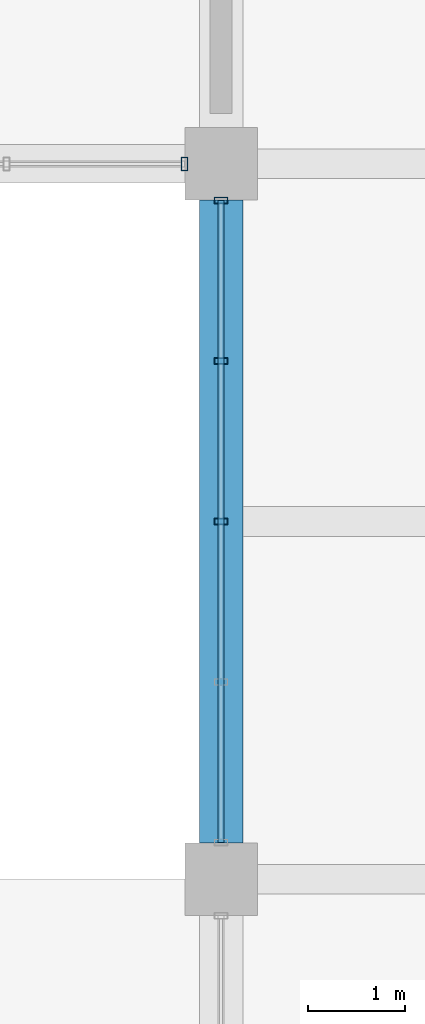
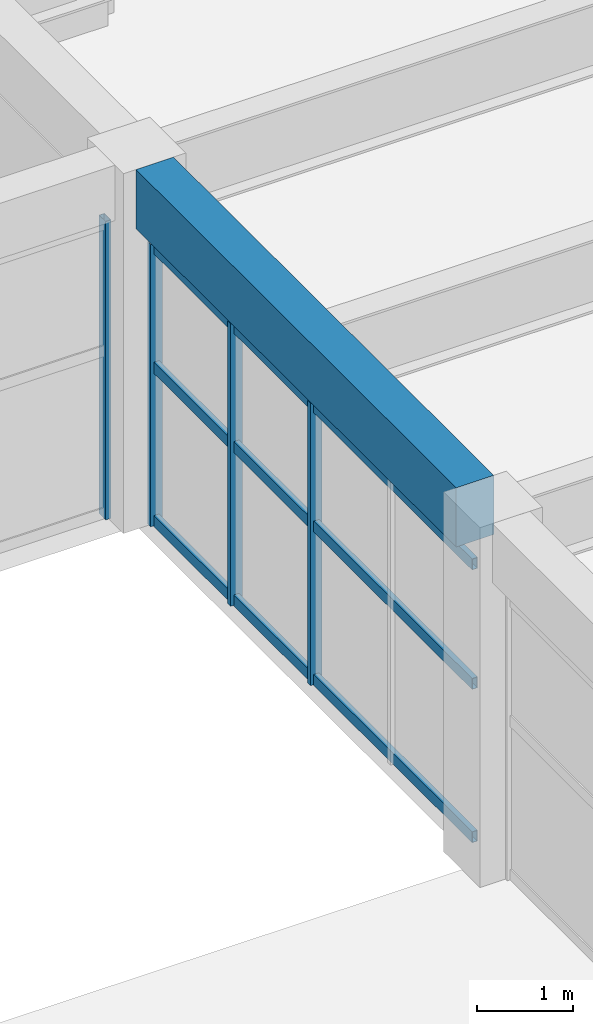
# One storey, part 49 of 161: 7 members, 1 beam, 2 elements without a shape of their own.
"""IFC4 building model written with IfcOpenShell, lengths in metres."""

from ifc_helpers import new_model, si_unit, direction, frame, origin, origin_2d, place, context, subcontext, project, spatial, rectangle, hollow_rectangle, extrude, material, material_profile, profile_set, type_object, element, aggregate, save


model = new_model("IFC4")

# Units and contexts
model_context = context("Model", 3, precision=1e-05, world=origin(), true_north=direction((0.0, 1.0)))
body_context = subcontext(model_context, "Body", "Model", "MODEL_VIEW")
ifc_project = project(units=[si_unit("LENGTHUNIT", "METRE"), si_unit("AREAUNIT", "SQUARE_METRE"), si_unit("VOLUMEUNIT", "CUBIC_METRE"), si_unit("PLANEANGLEUNIT", "RADIAN"), si_unit("MASSUNIT", "GRAM", prefix="KILO")], contexts=[model_context])

# Site, building, storey
site_placement = place(None, origin())
site = spatial("IfcSite", under=ifc_project, at=site_placement, CompositionType="ELEMENT")
building_placement = place(site_placement, origin())
building = spatial("IfcBuilding", under=site, at=building_placement, Name="Cimatlan Art Gallery", CompositionType="ELEMENT")
storey_placement = place(building_placement, frame((0.0, 0.0, 5.39990234375)))
storey = spatial("IfcBuildingStorey", under=building, at=storey_placement, Name="L01", CompositionType="ELEMENT", Elevation=5.39990234375)

# Beam
ifc_material_1 = material(Name="Concrete C40/50", Category="concrete")
ifc_material_profile_1 = material_profile(ifc_material_1, rectangle(XDim=0.449951171875, YDim=0.75, at=origin_2d()), Name="RC450X750")
ifc_profile_set_1 = profile_set([ifc_material_profile_1], Name="Concrete C40/50")
beam_type = type_object("IfcBeamType", Name="BM-RC-450X750", PredefinedType="BEAM", material=ifc_profile_set_1)
beam_placement = place(storey_placement, frame((74.89990234375, 46.47509765625, 4.18505859375), z_axis=(0.0, 1.0, 0.0), x_axis=(-1.0, 0.0, 0.0)))
element("IfcBeam", 1, at=beam_placement, inside=storey, type_object=beam_type, Name="BM-Y-L01-09-06", PredefinedType="BEAM", context=body_context, shape_type="SweptSolid", body=[
    extrude(rectangle(XDim=0.449951171875, YDim=0.75, at=origin_2d()), origin(), (0.0, 0.0, 1.0), 6.64990234375),
])

# Curtain wall, member
ifc_material_2 = material(Name="Anodised bronze unitised curtain wall")
curtain_wall_type_1 = type_object("IfcCurtainWallType", Name="CW-V-07367X03780-B4", PredefinedType="NOTDEFINED", material=ifc_material_2)
curtain_wall_1_placement = place(storey_placement, origin())
curtain_wall_1 = element("IfcCurtainWall", 2, at=curtain_wall_1_placement, inside=storey, type_object=curtain_wall_type_1, Name="CW-L01-08-07-S", PredefinedType="NOTDEFINED")
ifc_material_3 = material(Name="Anodised bronze aluminium 6063-T6", Category="aluminium")
ifc_material_profile_2 = material_profile(ifc_material_3, hollow_rectangle(XDim=0.06494140625, YDim=0.139892578125, WallThickness=0.00390625, at=origin_2d()), Name="ALU65X140X4")
ifc_profile_set_2 = profile_set([ifc_material_profile_2], Name="Anodised bronze aluminium 6063-T6")
member_type_1 = type_object("IfcMemberType", Name="CW-MUL-140", PredefinedType="MULLION", material=ifc_profile_set_2)
member_1_placement = place(storey_placement, frame((74.52099609375, 53.5, 0.0), z_axis=(0.0, 0.0, 1.0), x_axis=(1.0, 0.0, 0.0)))
member_1 = element("IfcMember", 3, at=member_1_placement, type_object=member_type_1, Name="CW-L01-08-07-S-M1", PredefinedType="MULLION", context=body_context, shape_type="SweptSolid", body=[
    extrude(hollow_rectangle(XDim=0.06494140625, YDim=0.139892578125, WallThickness=0.00390625, at=origin_2d()), origin(), (0.0, 0.0, 1.0), 3.780029296875),
])
aggregate(curtain_wall_1, [member_1])

# Curtain wall, members
curtain_wall_type_2 = type_object("IfcCurtainWallType", Name="CW-V-06642X03577-B4", PredefinedType="NOTDEFINED", material=ifc_material_2)
curtain_wall_2_placement = place(storey_placement, origin())
curtain_wall_2 = element("IfcCurtainWall", 4, at=curtain_wall_2_placement, inside=storey, type_object=curtain_wall_type_2, Name="CW-L01-09-06-W", PredefinedType="NOTDEFINED")
member_2_placement = place(storey_placement, frame((74.89990234375, 49.800048828125, 0.0), z_axis=(0.0, 0.0, 1.0), x_axis=(0.0, 1.0, 0.0)))
member_2 = element("IfcMember", 5, at=member_2_placement, type_object=member_type_1, Name="CW-L01-09-06-W-M3", PredefinedType="MULLION", context=body_context, shape_type="SweptSolid", body=[
    extrude(hollow_rectangle(XDim=0.06494140625, YDim=0.139892578125, WallThickness=0.00390625, at=origin_2d()), origin(), (0.0, 0.0, 1.0), 3.5771484375),
])
member_3_placement = place(storey_placement, frame((74.89990234375, 51.46044921875, 0.0), z_axis=(0.0, 0.0, 1.0), x_axis=(0.0, 1.0, 0.0)))
member_3 = element("IfcMember", 6, at=member_3_placement, type_object=member_type_1, Name="CW-L01-09-06-W-M4", PredefinedType="MULLION", context=body_context, shape_type="SweptSolid", body=[
    extrude(hollow_rectangle(XDim=0.06494140625, YDim=0.139892578125, WallThickness=0.00390625, at=origin_2d()), origin(), (0.0, 0.0, 1.0), 3.5771484375),
])
member_4_placement = place(storey_placement, frame((74.89990234375, 53.12109375, 0.0), z_axis=(0.0, 0.0, 1.0), x_axis=(0.0, 1.0, 0.0)))
member_4 = element("IfcMember", 7, at=member_4_placement, type_object=member_type_1, Name="CW-L01-09-06-W-M5", PredefinedType="MULLION", context=body_context, shape_type="SweptSolid", body=[
    extrude(hollow_rectangle(XDim=0.06494140625, YDim=0.139892578125, WallThickness=0.00390625, at=origin_2d()), origin(), (0.0, 0.0, 1.0), 3.5771484375),
])
ifc_material_profile_3 = material_profile(ifc_material_3, hollow_rectangle(XDim=0.06494140625, YDim=0.139892578125, WallThickness=0.00390625, at=origin_2d()), Name="ALU65X140X4")
ifc_profile_set_3 = profile_set([ifc_material_profile_3], Name="Anodised bronze aluminium 6063-T6")
member_type_2 = type_object("IfcMemberType", Name="CW-TRN-140", PredefinedType="USERDEFINED", material=ifc_profile_set_3)
member_5_placement = place(storey_placement, frame((74.89990234375, 46.47900390625, 0.06005859375), z_axis=(0.0, 1.0, 0.0), x_axis=(-1.0, 0.0, 0.0)))
member_5 = element("IfcMember", 8, at=member_5_placement, type_object=member_type_2, Name="CW-L01-09-06-W-T1", ObjectType="TRANSOM", PredefinedType="USERDEFINED", context=body_context, shape_type="SweptSolid", body=[
    extrude(hollow_rectangle(XDim=0.06494140625, YDim=0.139892578125, WallThickness=0.00390625, at=origin_2d()), origin(), (0.0, 0.0, 1.0), 6.64208984375),
])
member_6_placement = place(storey_placement, frame((74.89990234375, 46.47900390625, 2.003173828125), z_axis=(0.0, 1.0, 0.0), x_axis=(-1.0, 0.0, 0.0)))
member_6 = element("IfcMember", 9, at=member_6_placement, type_object=member_type_2, Name="CW-L01-09-06-W-T2", ObjectType="TRANSOM", PredefinedType="USERDEFINED", context=body_context, shape_type="SweptSolid", body=[
    extrude(hollow_rectangle(XDim=0.06494140625, YDim=0.139892578125, WallThickness=0.00390625, at=origin_2d()), origin(), (0.0, 0.0, 1.0), 6.64208984375),
])
member_7_placement = place(storey_placement, frame((74.89990234375, 46.47900390625, 3.51708984375), z_axis=(0.0, 1.0, 0.0), x_axis=(-1.0, 0.0, 0.0)))
member_7 = element("IfcMember", 10, at=member_7_placement, type_object=member_type_2, Name="CW-L01-09-06-W-T3", ObjectType="TRANSOM", PredefinedType="USERDEFINED", context=body_context, shape_type="SweptSolid", body=[
    extrude(hollow_rectangle(XDim=0.06494140625, YDim=0.139892578125, WallThickness=0.00390625, at=origin_2d()), origin(), (0.0, 0.0, 1.0), 6.64208984375),
])
aggregate(curtain_wall_2, [member_2, member_3, member_4, member_5, member_6, member_7])

save(model, "model.ifc")
